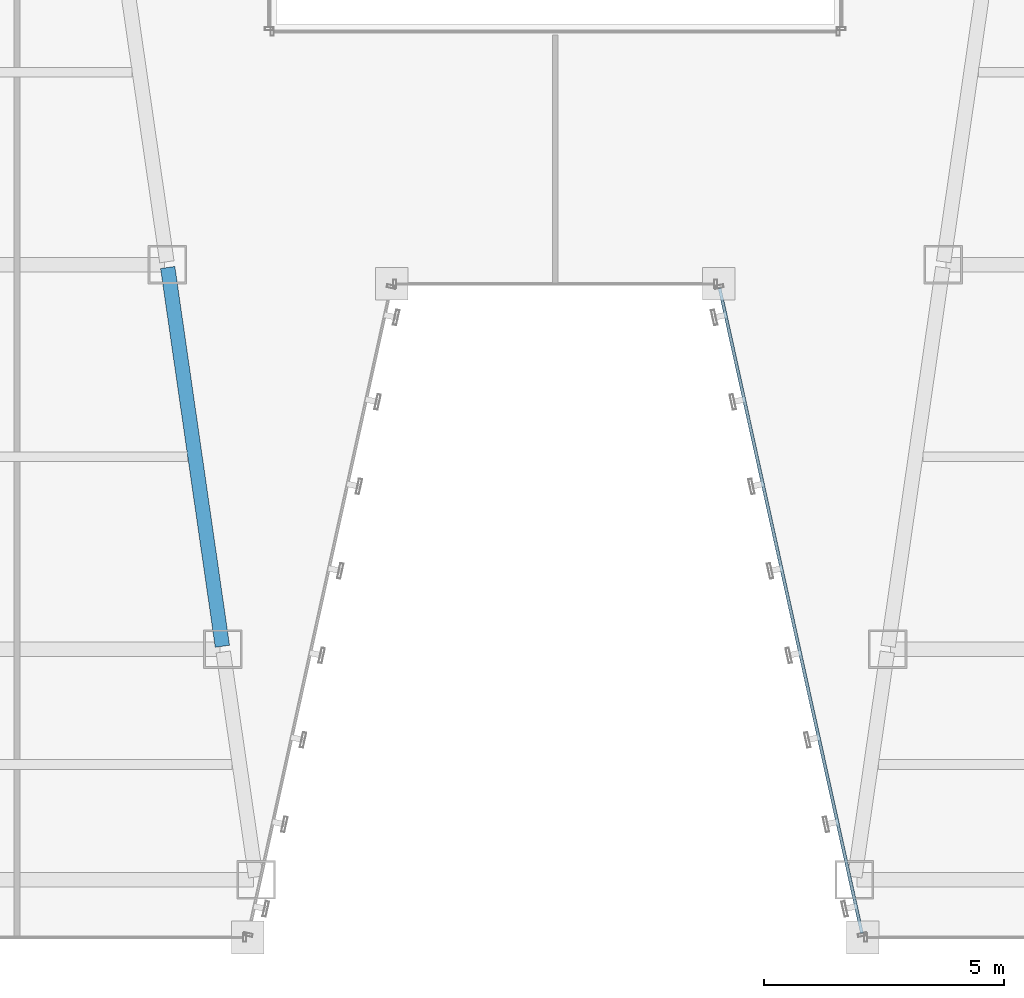
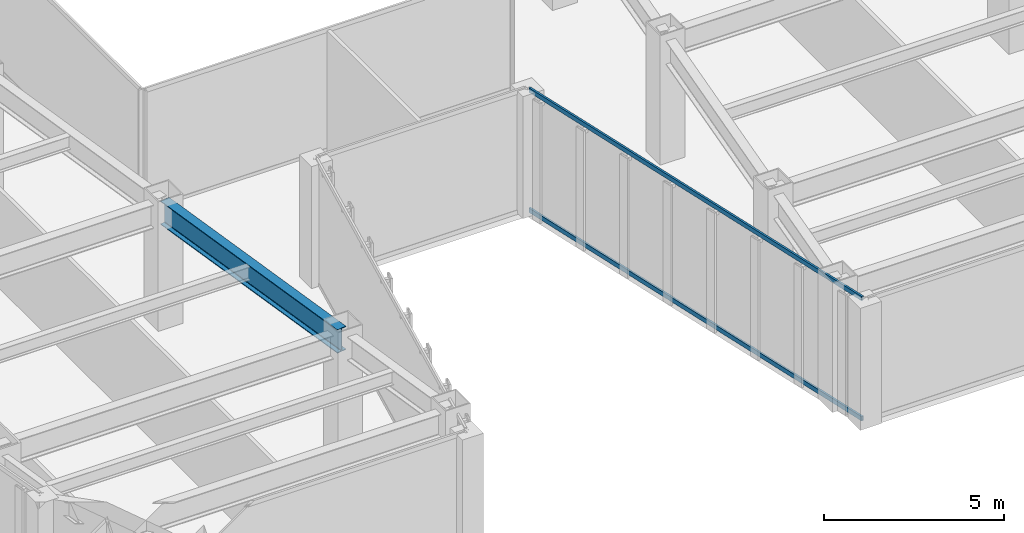
# One storey, part 8 of 47: 2 members, 1 beam, 1 element without a shape of its own.
"""IFC4 building model written with IfcOpenShell, lengths in metres."""

from ifc_helpers import new_model, si_unit, direction, frame, origin, origin_2d, place, context, subcontext, project, spatial, hollow_rectangle, i_section, extrude, material, material_profile, profile_set, type_object, element, aggregate, save


model = new_model("IFC4")

# Units and contexts
model_context = context("Model", 3, precision=1e-05, world=origin(), true_north=direction((0.0, 1.0)))
body_context = subcontext(model_context, "Body", "Model", "MODEL_VIEW")
ifc_project = project(units=[si_unit("LENGTHUNIT", "METRE"), si_unit("AREAUNIT", "SQUARE_METRE"), si_unit("VOLUMEUNIT", "CUBIC_METRE"), si_unit("PLANEANGLEUNIT", "RADIAN"), si_unit("MASSUNIT", "GRAM", prefix="KILO")], contexts=[model_context])

# Site, building, storey
site_placement = place(None, origin())
site = spatial("IfcSite", under=ifc_project, at=site_placement, CompositionType="ELEMENT")
building_placement = place(site_placement, origin())
building = spatial("IfcBuilding", under=site, at=building_placement, Name="Saevonmaru Cultural Tower", CompositionType="ELEMENT")
storey_placement = place(building_placement, frame((0.0, 0.0, 42.800048828125)))
storey = spatial("IfcBuildingStorey", under=building, at=storey_placement, Name="L08", CompositionType="ELEMENT", Elevation=42.800048828125)

# Beam
ifc_material_1 = material(Name="Steel SM420", Category="steel")
ifc_material_profile_1 = material_profile(ifc_material_1, i_section(OverallWidth=0.300048828125, OverallDepth=0.800048828125, WebThickness=0.013916015625, FlangeThickness=0.02587890625, FilletRadius=0.028076171875, at=origin_2d()), Name="H-800x300x14x26")
ifc_profile_set_1 = profile_set([ifc_material_profile_1], Name="Steel SM420")
beam_type = type_object("IfcBeamType", Name="BM-G-H800", PredefinedType="BEAM", material=ifc_profile_set_1)
beam_placement = place(storey_placement, frame((23.074462890625, 8.059326171875, 3.75), z_axis=(-0.142902032203, 0.989736838353, 0.0), x_axis=(-0.989736838353, -0.142902032203, 0.0)))
element("IfcBeam", 1, at=beam_placement, inside=storey, type_object=beam_type, Name="L08 West Atrium Girder 2", PredefinedType="BEAM", context=body_context, shape_type="SweptSolid", body=[
    extrude(i_section(OverallWidth=0.300048828125, OverallDepth=0.800048828125, WebThickness=0.013916015625, FlangeThickness=0.02587890625, FilletRadius=0.028076171875, at=origin_2d()), origin(), (0.0, 0.0, 1.0), 7.963134765625),
])

# Curtain wall, members
ifc_material_2 = material(Name="Satin Bronze Anodised Aluminium", Category="aluminium")
curtain_wall_type = type_object("IfcCurtainWallType", Name="CW-TYP-A", PredefinedType="NOTDEFINED", material=ifc_material_2)
curtain_wall_placement = place(storey_placement, origin())
curtain_wall = element("IfcCurtainWall", 2, at=curtain_wall_placement, inside=storey, type_object=curtain_wall_type, Name="L08 Unitised Curtain Wall E5", PredefinedType="NOTDEFINED")
ifc_material_profile_2 = material_profile(ifc_material_2, hollow_rectangle(XDim=0.06494140625, YDim=0.14990234375, WallThickness=0.00390625, at=origin_2d()), Name="ALU-TRAN-150x65x4")
ifc_profile_set_2 = profile_set([ifc_material_profile_2], Name="Satin Bronze Anodised Aluminium")
member_type = type_object("IfcMemberType", Name="TR-CW-150x65", PredefinedType="USERDEFINED", material=ifc_profile_set_2)
member_1_placement = place(storey_placement, frame((33.419921875, 15.509765625, 0.032470703125), z_axis=(0.21541214732, -0.976523223885, 0.0), x_axis=(0.976523223885, 0.21541214732, 0.0)))
member_1 = element("IfcMember", 3, at=member_1_placement, type_object=member_type, Name="CW-TW-L08-E5 transom 1.1", ObjectType="TRANSOM", PredefinedType="USERDEFINED", context=body_context, shape_type="SweptSolid", body=[
    extrude(hollow_rectangle(XDim=0.06494140625, YDim=0.14990234375, WallThickness=0.00390625, at=origin_2d()), origin(), (0.0, 0.0, 1.0), 13.741943359375),
])
member_2_placement = place(storey_placement, frame((33.419921875, 15.509765625, 4.117431640625), z_axis=(0.21541214732, -0.976523223885, 0.0), x_axis=(0.976523223885, 0.21541214732, 0.0)))
member_2 = element("IfcMember", 4, at=member_2_placement, type_object=member_type, Name="CW-TW-L08-E5 transom 1.2", ObjectType="TRANSOM", PredefinedType="USERDEFINED", context=body_context, shape_type="SweptSolid", body=[
    extrude(hollow_rectangle(XDim=0.06494140625, YDim=0.14990234375, WallThickness=0.00390625, at=origin_2d()), origin(), (0.0, 0.0, 1.0), 13.741943359375),
])
aggregate(curtain_wall, [member_1, member_2])

save(model, "model.ifc")
